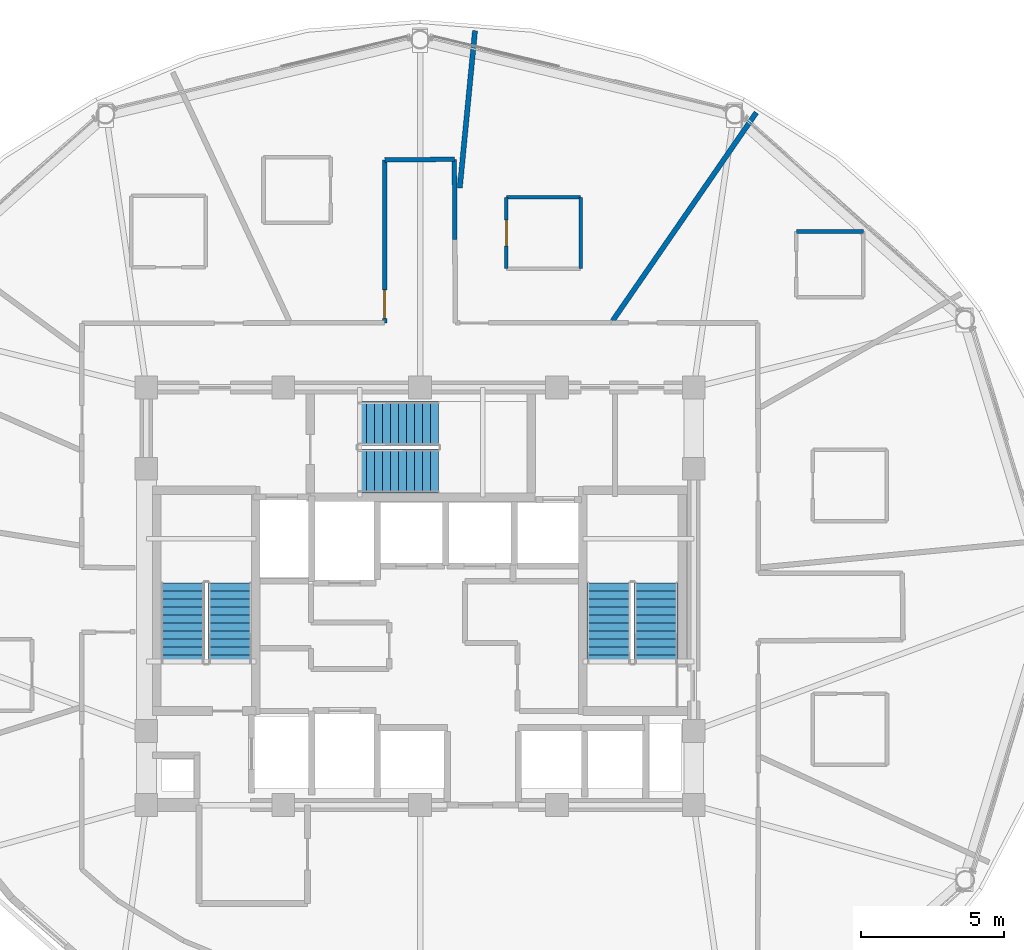
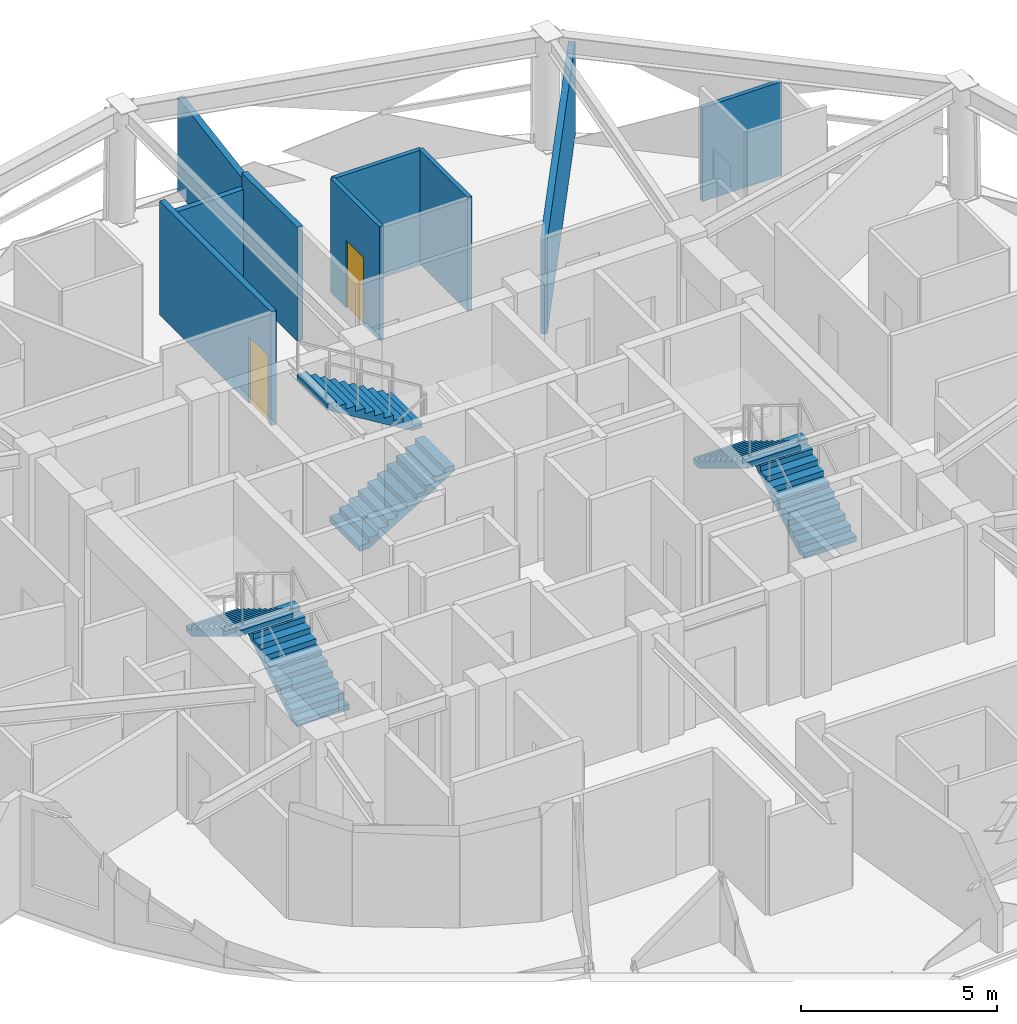
# One storey, part 14 of 18: 9 walls, 6 stair flights, 2 doors, 2 openings, 3 elements without a shape of their own.
"""IFC4 building model written with IfcOpenShell, lengths in metres."""

from ifc_helpers import new_model, si_unit, direction, frame, frame_2d, origin, place, context, subcontext, project, spatial, polyline, rectangle, outline, extrude, material, layer, layer_set, type_object, element, fill, aggregate, save


model = new_model("IFC4")

# Units and contexts
model_context = context("Model", 3, precision=1e-05, world=origin(), true_north=direction((0.0, 1.0)))
body_context = subcontext(model_context, "Body", "Model", "MODEL_VIEW")
ifc_project = project(units=[si_unit("LENGTHUNIT", "METRE"), si_unit("AREAUNIT", "SQUARE_METRE"), si_unit("VOLUMEUNIT", "CUBIC_METRE"), si_unit("PLANEANGLEUNIT", "RADIAN"), si_unit("MASSUNIT", "GRAM", prefix="KILO")], contexts=[model_context])

# Site, building, storey
site_placement = place(None, origin())
site = spatial("IfcSite", under=ifc_project, at=site_placement, CompositionType="ELEMENT")
building_placement = place(site_placement, origin())
building = spatial("IfcBuilding", under=site, at=building_placement, Name="Vantalir Tower", CompositionType="ELEMENT")
storey_placement = place(building_placement, frame((0.0, 0.0, 216.14990234375)))
storey = spatial("IfcBuildingStorey", under=building, at=storey_placement, Name="L54", CompositionType="ELEMENT", Elevation=216.14990234375)

# Walls
ifc_material_1 = material(Name="Moisture-resistant en-suite partition", Category="gypsum")
ifc_layer_1 = layer(ifc_material_1, 0.125)
ifc_layer_set_1 = layer_set([ifc_layer_1], Name="Moisture-resistant en-suite partition")
wall_type_1 = type_object("IfcWallType", Name="WL-BATH-125", PredefinedType="PARTITIONING", material=ifc_layer_set_1)
wall_1_placement = place(storey_placement, frame((44.700927734375, 37.91796875, 0.0), z_axis=(0.0, 0.0, 1.0), x_axis=(1.0, 0.0, 0.0)))
element("IfcWall", 1, at=wall_1_placement, inside=storey, type_object=wall_type_1, Name="L54 En-suite 02 North Wall", PredefinedType="PARTITIONING", context=body_context, shape_type="SweptSolid", body=[
    extrude(rectangle(XDim=2.35009765625, YDim=0.125, at=frame_2d((1.175048828125, 0.0))), origin(), (0.0, 0.0, 1.0), 2.925048828125),
])
wall_2_placement = place(storey_placement, frame((34.530029296875, 39.117919921875, 0.0), z_axis=(0.0, 0.0, 1.0), x_axis=(1.0, 0.0, 0.0)))
element("IfcWall", 2, at=wall_2_placement, inside=storey, type_object=wall_type_1, Name="L54 En-suite 03 North Wall", PredefinedType="PARTITIONING", context=body_context, shape_type="SweptSolid", body=[
    extrude(rectangle(XDim=2.599853515625, YDim=0.125, at=frame_2d((1.2998046875, 0.0))), origin(), (0.0, 0.0, 1.0), 3.550048828125),
])

# Wall, opening, door
wall_3_placement = place(storey_placement, frame((34.530029296875, 36.617919921875, 0.0), z_axis=(0.0, 0.0, 1.0), x_axis=(0.0, 1.0, 0.0)))
wall_3 = element("IfcWall", 3, at=wall_3_placement, inside=storey, type_object=wall_type_1, Name="L54 En-suite 03 West Wall", PredefinedType="PARTITIONING", context=body_context, shape_type="SweptSolid", body=[
    extrude(rectangle(XDim=2.5, YDim=0.125, at=frame_2d((1.25, 0.0))), origin(), (0.0, 0.0, 1.0), 3.550048828125),
])
opening_1_placement = place(wall_3_placement, frame((0.800048828125, 0.0, 0.0)))
opening_1 = element("IfcOpeningElement", 4, at=opening_1_placement, cuts=wall_3, Name="Opening D-WC", PredefinedType="OPENING", context=body_context, shape_type="SweptSolid", body=[
    extrude(rectangle(XDim=0.89990234375, YDim=2.10009765625, at=frame_2d((0.449951171875, 1.050048828125))), frame((0.0, 0.072509765625, 0.0), z_axis=(0.0, -1.0, 0.0), x_axis=(1.0, 0.0, 0.0)), (0.0, 0.0, 1.0), 0.14501953125),
])
ifc_material_2 = material(Name="Moisture-resistant hardwood door", Category="wood")
door_type_1 = type_object("IfcDoorType", Name="DR-ENSUITE-900", OperationType="NOTDEFINED", PredefinedType="DOOR", material=ifc_material_2)
door_1_placement = place(opening_1_placement, frame((0.89990234375, 0.0, 0.0), z_axis=(0.0, 0.0, 1.0), x_axis=(-1.0, 0.0, 0.0)))
door_1 = element("IfcDoor", 5, at=door_1_placement, inside=storey, type_object=door_type_1, Name="L54 En-suite 03 Door", OperationType="SINGLE_SWING_RIGHT", OverallHeight=2.10009765625, OverallWidth=0.89990234375, PredefinedType="DOOR", context=body_context, shape_type="SweptSolid", body=[
    extrude(rectangle(XDim=0.89990234375, YDim=2.10009765625, at=frame_2d((0.449951171875, 1.050048828125))), frame((0.0, 0.02490234375, 0.0), z_axis=(0.0, -1.0, 0.0), x_axis=(1.0, 0.0, 0.0)), (0.0, 0.0, 1.0), 0.050048828125),
])
fill(opening_1, door_1)

# Wall
wall_4_placement = place(storey_placement, frame((37.1298828125, 36.617919921875, 0.0), z_axis=(0.0, 0.0, 1.0), x_axis=(0.0, 1.0, 0.0)))
element("IfcWall", 6, at=wall_4_placement, inside=storey, type_object=wall_type_1, Name="L54 En-suite 03 East Wall", PredefinedType="PARTITIONING", context=body_context, shape_type="SweptSolid", body=[
    extrude(rectangle(XDim=2.5, YDim=0.125, at=frame_2d((1.25, 0.0))), origin(), (0.0, 0.0, 1.0), 3.550048828125),
])

# Wall, opening, door
ifc_material_3 = material(Name="Fire-rated hotel corridor acoustic partition", Category="gypsum")
ifc_layer_2 = layer(ifc_material_3, 0.159912109375)
ifc_layer_set_2 = layer_set([ifc_layer_2], Name="Fire-rated hotel corridor acoustic partition")
wall_type_2 = type_object("IfcWallType", Name="WL-CORR-160", PredefinedType="PARTITIONING", material=ifc_layer_set_2)
wall_5_placement = place(storey_placement, frame((30.260009765625, 34.715087890625, 0.0), z_axis=(0.0, 0.0, 1.0), x_axis=(0.000512995829, 0.999999868418, 0.0)))
wall_5 = element("IfcWall", 7, at=wall_5_placement, inside=storey, type_object=wall_type_2, Name="L54 Corridor Partition 08", PredefinedType="PARTITIONING", context=body_context, shape_type="SweptSolid", body=[
    extrude(rectangle(XDim=5.7109375, YDim=0.159912109375, at=frame_2d((2.85546875, 0.0))), origin(), (0.0, 0.0, 1.0), 3.550048828125),
])
opening_2_placement = place(wall_5_placement, frame((0.159912109375, 0.0, 0.0)))
opening_2 = element("IfcOpeningElement", 8, at=opening_2_placement, cuts=wall_5, Name="Opening D-GUEST", PredefinedType="OPENING", context=body_context, shape_type="SweptSolid", body=[
    extrude(rectangle(XDim=1.0, YDim=2.10009765625, at=frame_2d((0.5, 1.050048828125))), frame((0.0, 0.08984375, 0.0), z_axis=(0.0, -1.0, 0.0), x_axis=(1.0, 0.0, 0.0)), (0.0, 0.0, 1.0), 0.179931640625),
])
ifc_material_4 = material(Name="Solid-core teak veneer acoustic fire door", Category="wood")
door_type_2 = type_object("IfcDoorType", Name="DR-GUEST-ENTRY-1000", OperationType="NOTDEFINED", PredefinedType="DOOR", material=ifc_material_4)
door_2_placement = place(opening_2_placement, origin())
door_2 = element("IfcDoor", 9, at=door_2_placement, inside=storey, type_object=door_type_2, Name="L54 Deluxe King Hotel Room 04 Door", OperationType="SINGLE_SWING_LEFT", OverallHeight=2.10009765625, OverallWidth=1.0, PredefinedType="DOOR", context=body_context, shape_type="SweptSolid", body=[
    extrude(rectangle(XDim=1.0, YDim=2.10009765625, at=frame_2d((0.5, 1.050048828125))), frame((0.0, 0.02490234375, 0.0), z_axis=(0.0, -1.0, 0.0), x_axis=(1.0, 0.0, 0.0)), (0.0, 0.0, 1.0), 0.050048828125),
])
fill(opening_2, door_2)

# Walls
wall_6_placement = place(storey_placement, frame((30.262939453125, 40.426025390625, 0.0), z_axis=(0.0, 0.0, 1.0), x_axis=(0.999947973655, 0.01020048938, 0.0)))
element("IfcWall", 10, at=wall_6_placement, inside=storey, type_object=wall_type_2, Name="L54 Corridor Partition 09", PredefinedType="PARTITIONING", context=body_context, shape_type="SweptSolid", body=[
    extrude(rectangle(XDim=2.44140625, YDim=0.159912109375, at=frame_2d((1.220703125, 0.0))), origin(), (0.0, 0.0, 1.0), 3.0810546875),
])
wall_7_placement = place(storey_placement, frame((32.7041015625, 40.450927734375, 0.0), z_axis=(0.0, 0.0, 1.0), x_axis=(0.006349354485, -0.999979842646, 0.0)))
element("IfcWall", 11, at=wall_7_placement, inside=storey, type_object=wall_type_2, Name="L54 Corridor Partition 10", PredefinedType="PARTITIONING", context=body_context, shape_type="SweptSolid", body=[
    extrude(rectangle(XDim=2.806884765625, YDim=0.159912109375, at=frame_2d((1.4033203125, 0.0))), origin(), (0.0, 0.0, 1.0), 3.550048828125),
])
ifc_material_5 = material(Name="Twin-stud acoustic fire-rated gypsum partition", Category="gypsum")
ifc_layer_3 = layer(ifc_material_5, 0.179931640625)
ifc_layer_set_3 = layer_set([ifc_layer_3], Name="Twin-stud acoustic fire-rated gypsum partition")
wall_type_3 = type_object("IfcWallType", Name="WL-GUEST-180", PredefinedType="PARTITIONING", material=ifc_layer_set_3)
wall_8_placement = place(storey_placement, frame((38.257080078125, 34.7900390625, 0.0), z_axis=(0.0, 0.0, 1.0), x_axis=(0.56802823634, 0.823009066001, 0.0)))
element("IfcWall", 12, at=wall_8_placement, inside=storey, type_object=wall_type_3, Name="L54 Radial Suite Partition 03", PredefinedType="PARTITIONING", context=body_context, shape_type="SweptSolid", body=[
    extrude(rectangle(XDim=8.8671875, YDim=0.179931640625, at=frame_2d((4.43359375, 0.0))), origin(), (0.0, 0.0, 1.0), 2.925048828125),
])
wall_9_placement = place(storey_placement, frame((32.89501953125, 39.444091796875, 0.0), z_axis=(0.0, 0.0, 1.0), x_axis=(0.096174947315, 0.995364445572, 0.0)))
element("IfcWall", 13, at=wall_9_placement, inside=storey, type_object=wall_type_3, Name="L54 Radial Suite Partition 04", PredefinedType="PARTITIONING", context=body_context, shape_type="SweptSolid", body=[
    extrude(rectangle(XDim=5.54150390625, YDim=0.179931640625, at=frame_2d((2.770751953125, 0.0))), origin(), (0.0, 0.0, 1.0), 2.925048828125),
])

# Stair, stair flights
ifc_material_6 = material(Name="Concrete C40/50", Category="concrete")
stair_type = type_object("IfcStairType", Name="STR-CORE-1450", PredefinedType="HALF_TURN_STAIR", material=ifc_material_6)
stair_1_placement = place(storey_placement, origin())
stair_1 = element("IfcStair", 14, at=stair_1_placement, inside=storey, type_object=stair_type, Name="L54 Core Exit Stair 1", PredefinedType="HALF_TURN_STAIR")
stair_flight_type = type_object("IfcStairFlightType", Name="FLT-CORE-1450", PredefinedType="STRAIGHT", material=ifc_material_6)
stair_flight_1_placement = place(storey_placement, frame((24.830078125, 22.7900390625, 0.0), z_axis=(0.0, 0.0, 1.0), x_axis=(0.0, 1.0, 0.0)))
stair_flight_1 = element("IfcStairFlight", 15, at=stair_flight_1_placement, type_object=stair_flight_type, Name="ST1 flight 1", NumberOfRisers=11, NumberOfTreads=10, PredefinedType="STRAIGHT", RiserHeight=0.170454545, TreadLength=0.28, context=body_context, shape_type="SweptSolid", body=[
    extrude(outline(polyline([(0.0, 0.0), (0.0, 0.17041015625), (0.280029296875, 0.17041015625), (0.280029296875, 0.3408203125), (0.56005859375, 0.3408203125), (0.56005859375, 0.511474609375), (0.840087890625, 0.511474609375), (0.840087890625, 0.681884765625), (1.1201171875, 0.681884765625), (1.1201171875, 0.852294921875), (1.39990234375, 0.852294921875), (1.39990234375, 1.022705078125), (1.679931640625, 1.022705078125), (1.679931640625, 1.193115234375), (1.9599609375, 1.193115234375), (1.9599609375, 1.363525390625), (2.239990234375, 1.363525390625), (2.239990234375, 1.5341796875), (2.52001953125, 1.5341796875), (2.52001953125, 1.70458984375), (2.800048828125, 1.70458984375), (2.800048828125, 1.875), (2.800048828125, 1.529052734375), (0.288330078125, 0.0), (0.0, 0.0)])), frame((0.0, 0.77001953125, 0.0), z_axis=(0.0, -1.0, 0.0), x_axis=(1.0, 0.0, 0.0)), (0.0, 0.0, 1.0), 1.5400390625),
])
stair_flight_2_placement = place(storey_placement, frame((23.169921875, 25.590087890625, 1.875), z_axis=(0.0, 0.0, 1.0), x_axis=(0.0, -1.0, 0.0)))
stair_flight_2 = element("IfcStairFlight", 16, at=stair_flight_2_placement, type_object=stair_flight_type, Name="ST1 flight 2", NumberOfRisers=11, NumberOfTreads=10, PredefinedType="STRAIGHT", RiserHeight=0.170454545, TreadLength=0.28, context=body_context, shape_type="SweptSolid", body=[
    extrude(outline(polyline([(0.0, 0.0), (0.0, 0.17041015625), (0.280029296875, 0.17041015625), (0.280029296875, 0.3408203125), (0.56005859375, 0.3408203125), (0.56005859375, 0.511474609375), (0.840087890625, 0.511474609375), (0.840087890625, 0.681884765625), (1.1201171875, 0.681884765625), (1.1201171875, 0.852294921875), (1.39990234375, 0.852294921875), (1.39990234375, 1.022705078125), (1.679931640625, 1.022705078125), (1.679931640625, 1.193115234375), (1.9599609375, 1.193115234375), (1.9599609375, 1.363525390625), (2.239990234375, 1.363525390625), (2.239990234375, 1.5341796875), (2.52001953125, 1.5341796875), (2.52001953125, 1.70458984375), (2.800048828125, 1.70458984375), (2.800048828125, 1.875), (2.800048828125, 1.529052734375), (0.288330078125, 0.0), (0.0, 0.0)])), frame((0.0, 0.77001953125, 0.0), z_axis=(0.0, -1.0, 0.0), x_axis=(1.0, 0.0, 0.0)), (0.0, 0.0, 1.0), 1.5400390625),
])
aggregate(stair_1, [stair_flight_1, stair_flight_2])

stair_2_placement = place(storey_placement, origin())
stair_2 = element("IfcStair", 17, at=stair_2_placement, inside=storey, type_object=stair_type, Name="L54 Core Exit Stair 2", PredefinedType="HALF_TURN_STAIR")
stair_flight_3_placement = place(storey_placement, frame((39.780029296875, 22.7900390625, 0.0), z_axis=(0.0, 0.0, 1.0), x_axis=(0.0, 1.0, 0.0)))
stair_flight_3 = element("IfcStairFlight", 18, at=stair_flight_3_placement, type_object=stair_flight_type, Name="ST2 flight 1", NumberOfRisers=11, NumberOfTreads=10, PredefinedType="STRAIGHT", RiserHeight=0.170454545, TreadLength=0.28, context=body_context, shape_type="SweptSolid", body=[
    extrude(outline(polyline([(0.0, 0.0), (0.0, 0.17041015625), (0.280029296875, 0.17041015625), (0.280029296875, 0.3408203125), (0.56005859375, 0.3408203125), (0.56005859375, 0.511474609375), (0.840087890625, 0.511474609375), (0.840087890625, 0.681884765625), (1.1201171875, 0.681884765625), (1.1201171875, 0.852294921875), (1.39990234375, 0.852294921875), (1.39990234375, 1.022705078125), (1.679931640625, 1.022705078125), (1.679931640625, 1.193115234375), (1.9599609375, 1.193115234375), (1.9599609375, 1.363525390625), (2.239990234375, 1.363525390625), (2.239990234375, 1.5341796875), (2.52001953125, 1.5341796875), (2.52001953125, 1.70458984375), (2.800048828125, 1.70458984375), (2.800048828125, 1.875), (2.800048828125, 1.529052734375), (0.288330078125, 0.0), (0.0, 0.0)])), frame((0.0, 0.77001953125, 0.0), z_axis=(0.0, -1.0, 0.0), x_axis=(1.0, 0.0, 0.0)), (0.0, 0.0, 1.0), 1.5400390625),
])
stair_flight_4_placement = place(storey_placement, frame((38.1201171875, 25.590087890625, 1.875), z_axis=(0.0, 0.0, 1.0), x_axis=(0.0, -1.0, 0.0)))
stair_flight_4 = element("IfcStairFlight", 19, at=stair_flight_4_placement, type_object=stair_flight_type, Name="ST2 flight 2", NumberOfRisers=11, NumberOfTreads=10, PredefinedType="STRAIGHT", RiserHeight=0.170454545, TreadLength=0.28, context=body_context, shape_type="SweptSolid", body=[
    extrude(outline(polyline([(0.0, 0.0), (0.0, 0.17041015625), (0.280029296875, 0.17041015625), (0.280029296875, 0.3408203125), (0.56005859375, 0.3408203125), (0.56005859375, 0.511474609375), (0.840087890625, 0.511474609375), (0.840087890625, 0.681884765625), (1.1201171875, 0.681884765625), (1.1201171875, 0.852294921875), (1.39990234375, 0.852294921875), (1.39990234375, 1.022705078125), (1.679931640625, 1.022705078125), (1.679931640625, 1.193115234375), (1.9599609375, 1.193115234375), (1.9599609375, 1.363525390625), (2.239990234375, 1.363525390625), (2.239990234375, 1.5341796875), (2.52001953125, 1.5341796875), (2.52001953125, 1.70458984375), (2.800048828125, 1.70458984375), (2.800048828125, 1.875), (2.800048828125, 1.529052734375), (0.288330078125, 0.0), (0.0, 0.0)])), frame((0.0, 0.77001953125, 0.0), z_axis=(0.0, -1.0, 0.0), x_axis=(1.0, 0.0, 0.0)), (0.0, 0.0, 1.0), 1.5400390625),
])
aggregate(stair_2, [stair_flight_3, stair_flight_4])

stair_3_placement = place(storey_placement, origin())
stair_3 = element("IfcStair", 20, at=stair_3_placement, inside=storey, type_object=stair_type, Name="L54 Core Exit Stair 3", PredefinedType="HALF_TURN_STAIR")
stair_flight_5_placement = place(storey_placement, frame((29.340087890625, 29.52001953125, 0.0), z_axis=(0.0, 0.0, 1.0), x_axis=(1.0, 0.0, 0.0)))
stair_flight_5 = element("IfcStairFlight", 21, at=stair_flight_5_placement, type_object=stair_flight_type, Name="ST3 flight 1", NumberOfRisers=11, NumberOfTreads=10, PredefinedType="STRAIGHT", RiserHeight=0.170454545, TreadLength=0.28, context=body_context, shape_type="SweptSolid", body=[
    extrude(outline(polyline([(0.0, 0.0), (0.0, 0.17041015625), (0.280029296875, 0.17041015625), (0.280029296875, 0.3408203125), (0.56005859375, 0.3408203125), (0.56005859375, 0.511474609375), (0.840087890625, 0.511474609375), (0.840087890625, 0.681884765625), (1.1201171875, 0.681884765625), (1.1201171875, 0.852294921875), (1.39990234375, 0.852294921875), (1.39990234375, 1.022705078125), (1.679931640625, 1.022705078125), (1.679931640625, 1.193115234375), (1.9599609375, 1.193115234375), (1.9599609375, 1.363525390625), (2.239990234375, 1.363525390625), (2.239990234375, 1.5341796875), (2.52001953125, 1.5341796875), (2.52001953125, 1.70458984375), (2.800048828125, 1.70458984375), (2.800048828125, 1.875), (2.800048828125, 1.529052734375), (0.288330078125, 0.0), (0.0, 0.0)])), frame((0.0, 0.77001953125, 0.0), z_axis=(0.0, -1.0, 0.0), x_axis=(1.0, 0.0, 0.0)), (0.0, 0.0, 1.0), 1.5400390625),
])
stair_flight_6_placement = place(storey_placement, frame((32.139892578125, 31.179931640625, 1.875), z_axis=(0.0, 0.0, 1.0), x_axis=(-1.0, 0.0, 0.0)))
stair_flight_6 = element("IfcStairFlight", 22, at=stair_flight_6_placement, type_object=stair_flight_type, Name="ST3 flight 2", NumberOfRisers=11, NumberOfTreads=10, PredefinedType="STRAIGHT", RiserHeight=0.170454545, TreadLength=0.28, context=body_context, shape_type="SweptSolid", body=[
    extrude(outline(polyline([(0.0, 0.0), (0.0, 0.17041015625), (0.280029296875, 0.17041015625), (0.280029296875, 0.3408203125), (0.56005859375, 0.3408203125), (0.56005859375, 0.511474609375), (0.840087890625, 0.511474609375), (0.840087890625, 0.681884765625), (1.1201171875, 0.681884765625), (1.1201171875, 0.852294921875), (1.39990234375, 0.852294921875), (1.39990234375, 1.022705078125), (1.679931640625, 1.022705078125), (1.679931640625, 1.193115234375), (1.9599609375, 1.193115234375), (1.9599609375, 1.363525390625), (2.239990234375, 1.363525390625), (2.239990234375, 1.5341796875), (2.52001953125, 1.5341796875), (2.52001953125, 1.70458984375), (2.800048828125, 1.70458984375), (2.800048828125, 1.875), (2.800048828125, 1.529052734375), (0.288330078125, 0.0), (0.0, 0.0)])), frame((0.0, 0.77001953125, 0.0), z_axis=(0.0, -1.0, 0.0), x_axis=(1.0, 0.0, 0.0)), (0.0, 0.0, 1.0), 1.5400390625),
])
aggregate(stair_3, [stair_flight_5, stair_flight_6])

save(model, "model.ifc")
